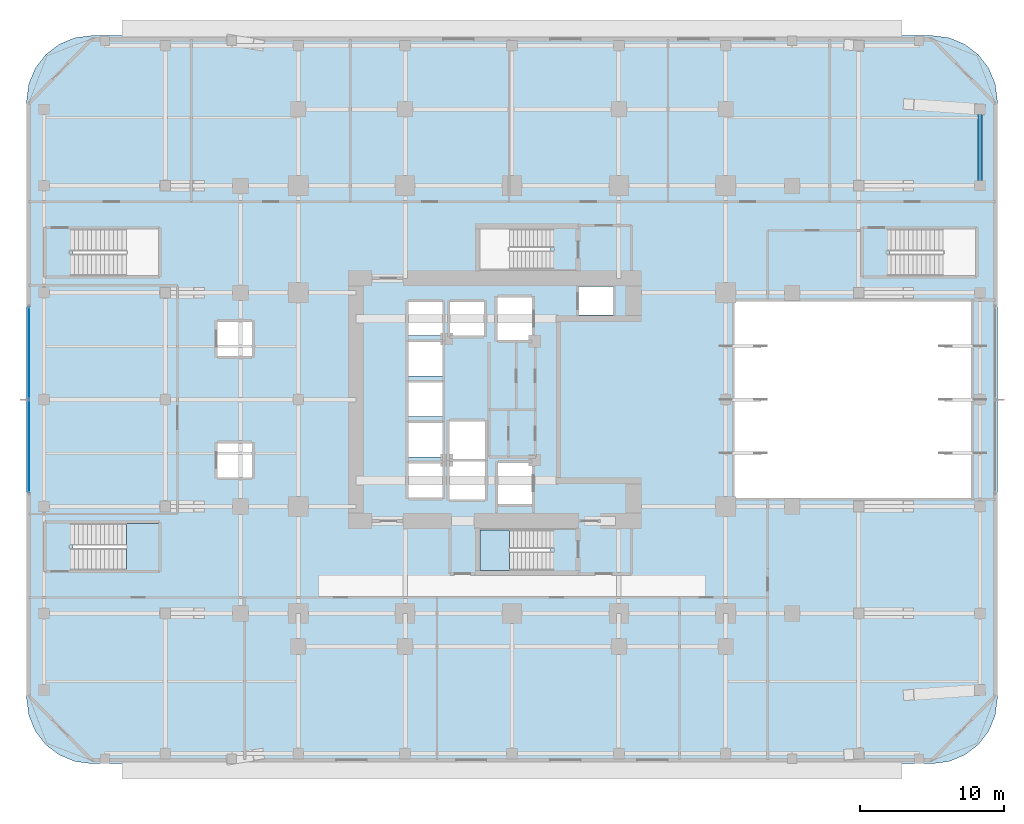
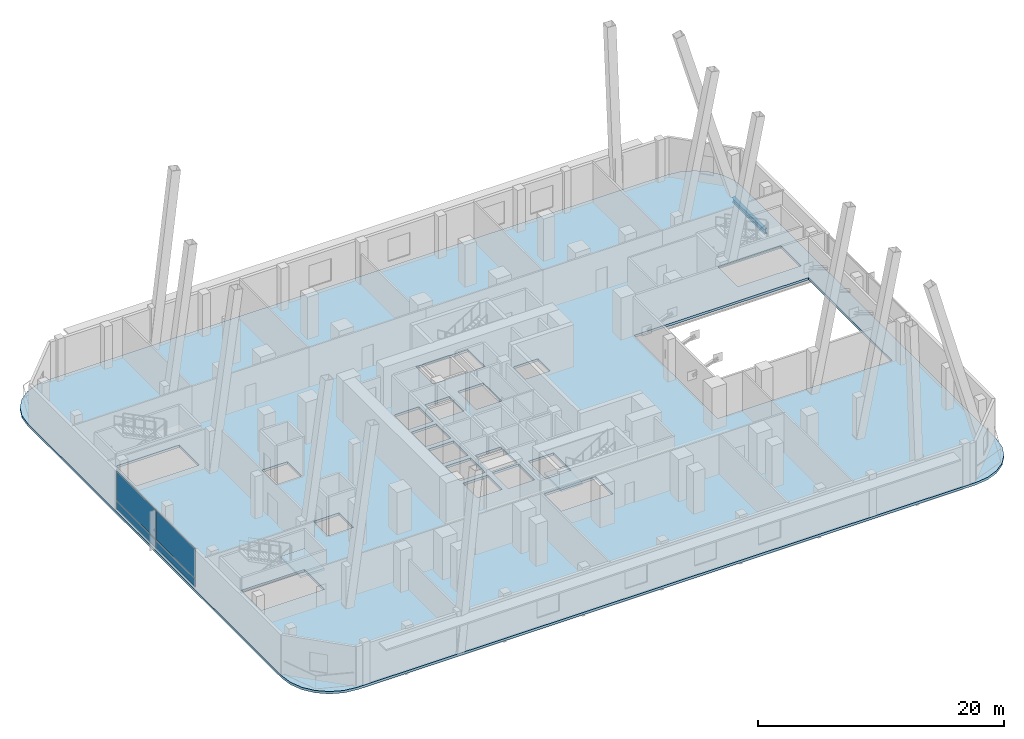
# One storey, part 9 of 23: 4 plates, 3 slabs, 1 beam, 3 elements without a shape of their own.
"""IFC4 building model written with IfcOpenShell, lengths in metres."""

import ifcopenshell
import ifcopenshell.guid

model = None  # the IFC model being written
_history = None  # IfcOwnerHistory: only IFC2X3 demands one
_inside = {}  # id of a spatial element -> (the spatial element, [elements in it])
_under = {}  # id of a project, library or spatial element -> (it, [spatial elements below it])
_declared = {}  # id of a project -> (the project, [libraries it declares])
_typed = {}  # id of a type object -> (the type object, [elements of that type])
_made_of = {}  # id of a material, layer set ... -> (it, [elements and type objects made of it])


def new_model(schema):
    """Start an empty IFC model of exactly this schema.

    Asked for "IFC4X3", IfcOpenShell would pick the latest addendum, in which some entities
    have other attributes; the version numbers below select the first issue.
    IFC2X3 requires an IfcOwnerHistory on every rooted entity: one is made here for all.
    """
    global model, _history
    if schema == "IFC4X3":
        model = ifcopenshell.file(schema_version=(4, 3, 0, 0))
    else:
        model = ifcopenshell.file(schema=schema)
    _inside.clear()
    _under.clear()
    _declared.clear()
    _typed.clear()
    _made_of.clear()
    _history = None
    if model.schema == "IFC2X3":
        org = make("IfcOrganization", Name="unknown")
        user = make(
            "IfcPersonAndOrganization",
            ThePerson=make("IfcPerson", FamilyName="unknown"),
            TheOrganization=org,
        )
        app = make(
            "IfcApplication",
            ApplicationDeveloper=org,
            Version="unknown",
            ApplicationFullName="unknown",
            ApplicationIdentifier="unknown",
        )
        _history = make(
            "IfcOwnerHistory",
            OwningUser=user,
            OwningApplication=app,
            ChangeAction="ADDED",
            CreationDate=0,
        )
    return model


def make(cls, **values):
    """One entity of the class cls with the attributes given. An attribute that is None is left unset."""
    return model.create_entity(
        cls, **{name: value for name, value in values.items() if value is not None}
    )


def rooted(cls, **values):
    """An entity with a GlobalId (a new one), such as an element, a storey or a relation."""
    return make(cls, GlobalId=ifcopenshell.guid.new(), OwnerHistory=_history, **values)


def si_unit(unit_type, name, prefix=None):
    """IfcSIUnit, for example si_unit("LENGTHUNIT", "METRE", prefix="MILLI")."""
    return make("IfcSIUnit", UnitType=unit_type, Prefix=prefix, Name=name)


def assignment(units):
    """IfcUnitAssignment: the units of a project."""
    return None if units is None else make("IfcUnitAssignment", Units=units)


def point(xyz):
    """IfcCartesianPoint."""
    return None if xyz is None else make("IfcCartesianPoint", Coordinates=xyz)


def direction(xyz):
    """IfcDirection."""
    return None if xyz is None else make("IfcDirection", DirectionRatios=xyz)


def frame(location, z_axis=None, x_axis=None):
    """IfcAxis2Placement3D, a coordinate frame: its origin and axes. An axis left out is left unset."""
    return make(
        "IfcAxis2Placement3D",
        Location=point(location),
        Axis=direction(z_axis),
        RefDirection=direction(x_axis),
    )


def frame_2d(location, x_axis=None):
    """IfcAxis2Placement2D, a coordinate frame in the plane: its origin and x axis."""
    return make(
        "IfcAxis2Placement2D", Location=point(location), RefDirection=direction(x_axis)
    )


def origin():
    """The frame at (0, 0, 0) with its axes left unset."""
    return frame((0.0, 0.0, 0.0))


def origin_2d():
    """The frame at (0, 0) in the plane with its x axis left unset."""
    return frame_2d((0.0, 0.0))


def place(relative_to, where):
    """IfcLocalPlacement: puts the frame where relative to a parent placement (None: the world)."""
    return make(
        "IfcLocalPlacement", PlacementRelTo=relative_to, RelativePlacement=where
    )


def context(
    kind, dimensions, precision=None, world=None, true_north=None, identifier=None
):
    """IfcGeometricRepresentationContext, for example the 3D "Model" context."""
    return make(
        "IfcGeometricRepresentationContext",
        ContextIdentifier=identifier,
        ContextType=kind,
        CoordinateSpaceDimension=dimensions,
        Precision=precision,
        WorldCoordinateSystem=world,
        TrueNorth=true_north,
    )


def subcontext(parent, identifier, kind, view, scale=None):
    """IfcGeometricRepresentationSubContext, for example "Body" below "Model"."""
    return make(
        "IfcGeometricRepresentationSubContext",
        ContextIdentifier=identifier,
        ContextType=kind,
        ParentContext=parent,
        TargetScale=scale,
        TargetView=view,
    )


def project(units=None, contexts=None):
    """IfcProject with its units and contexts."""
    return rooted(
        "IfcProject",
        Name="project",
        RepresentationContexts=contexts,
        UnitsInContext=assignment(units),
    )


def spatial(cls, under=None, at=None, **own):
    """A site, building, storey or space (cls), placed at a placement, below another one or the project."""
    s = rooted(cls, ObjectPlacement=at, **own)
    if under is not None:
        _under.setdefault(under.id(), (under, []))[1].append(s)
    return s


def polyline(points):
    """IfcPolyline through the points."""
    return make("IfcPolyline", Points=[point(p) for p in points])


def profile(cls, at=None, kind="AREA", **sizes):
    """A parametric profile (cls). Its sizes go by their IFC names, for example OverallWidth=200.0."""
    return make(cls, ProfileType=kind, Position=at, **sizes)


def rectangle(**sizes):
    """IfcRectangleProfileDef."""
    return profile("IfcRectangleProfileDef", **sizes)


def i_section(**sizes):
    """IfcIShapeProfileDef."""
    return profile("IfcIShapeProfileDef", **sizes)


def outline(outer, holes=None, kind="AREA"):
    """IfcArbitraryClosedProfileDef: a profile drawn as a closed curve; with holes, ...WithVoids."""
    if holes is None:
        return make("IfcArbitraryClosedProfileDef", ProfileType=kind, OuterCurve=outer)
    return make(
        "IfcArbitraryProfileDefWithVoids",
        ProfileType=kind,
        OuterCurve=outer,
        InnerCurves=holes,
    )


def extrude(swept, where, along, depth):
    """IfcExtrudedAreaSolid: the profile swept, set in the frame where, extruded along a direction by depth."""
    return make(
        "IfcExtrudedAreaSolid",
        SweptArea=swept,
        Position=where,
        ExtrudedDirection=direction(along),
        Depth=depth,
    )


def shape(context_of_items, identifier, shape_type, items):
    """IfcShapeRepresentation: the items that make up one representation, for example the "Body"."""
    return make(
        "IfcShapeRepresentation",
        ContextOfItems=context_of_items,
        RepresentationIdentifier=identifier,
        RepresentationType=shape_type,
        Items=items,
    )


def material(Name=None, Category=None):
    """IfcMaterial."""
    return make("IfcMaterial", Name=Name, Category=Category)


def layer(
    of_material, thickness, ventilated=None, Name=None, Category=None, Priority=None
):
    """IfcMaterialLayer: one layer of a wall or slab, of a material (None: an air gap)."""
    return make(
        "IfcMaterialLayer",
        Material=of_material,
        LayerThickness=thickness,
        IsVentilated=ventilated,
        Name=Name,
        Category=Category,
        Priority=Priority,
    )


def layer_set(layers, Name=None):
    """IfcMaterialLayerSet."""
    return make("IfcMaterialLayerSet", MaterialLayers=layers, LayerSetName=Name)


def material_profile(
    of_material, cross_section, Name=None, Category=None, Priority=None
):
    """IfcMaterialProfile: a cross section and its material."""
    return make(
        "IfcMaterialProfile",
        Name=Name,
        Material=of_material,
        Profile=cross_section,
        Priority=Priority,
        Category=Category,
    )


def profile_set(profiles, Name=None, composite=None):
    """IfcMaterialProfileSet."""
    return make(
        "IfcMaterialProfileSet",
        Name=Name,
        MaterialProfiles=profiles,
        CompositeProfile=composite,
    )


def made_of(thing, what):
    """Note that an element or type object is made of a material, layer set ...; save() writes the relation."""
    if what is not None:
        _made_of.setdefault(what.id(), (what, []))[1].append(thing)
    return thing


def type_object(cls, material=None, **own):
    """A type object (cls), such as IfcWallType, which elements share."""
    return made_of(rooted(cls, **own), material)


def element(
    cls,
    number,
    at=None,
    inside=None,
    cuts=None,
    type_object=None,
    material=None,
    context=None,
    identifier="Body",
    shape_type=None,
    held_by="IfcProductDefinitionShape",
    body=None,
    shapes=None,
    **own,
):
    """One element of the class cls, such as IfcWall. Its Tag is "e" and its number.

    at: its placement. inside: the storey or other place that contains it. cuts: it is an
    opening in that element (IfcRelVoidsElement). A single representation is given by context,
    identifier, shape_type and body (its items); several are given by shapes. held_by: the class
    of the entity that holds the representations. save() writes the other relations.
    """
    e = rooted(cls, Tag="e%d" % number, ObjectPlacement=at, **own)
    if body is not None:
        shapes = [shape(context, identifier, shape_type, body)]
    if shapes is not None:
        e.Representation = make(held_by, Representations=shapes)
    if inside is not None:
        _inside.setdefault(inside.id(), (inside, []))[1].append(e)
    if cuts is not None:
        rooted(
            "IfcRelVoidsElement", RelatingBuildingElement=cuts, RelatedOpeningElement=e
        )
    if type_object is not None:
        _typed.setdefault(type_object.id(), (type_object, []))[1].append(e)
    return made_of(e, material)


def aggregate(whole, parts):
    """IfcRelAggregates: a whole, such as a stair, and the parts it consists of."""
    return rooted("IfcRelAggregates", RelatingObject=whole, RelatedObjects=parts)


def save(model, path):
    """Write the relations noted so far, then the file.

    IfcRelAggregates (storeys below a building ...), IfcRelContainedInSpatialStructure (elements
    in a storey), IfcRelDefinesByType, IfcRelAssociatesMaterial and IfcRelDeclares: one each for
    every whole, place, type object, material and project.
    """
    for whole, parts in _under.values():
        aggregate(whole, parts)
    for where, things in _inside.values():
        rooted(
            "IfcRelContainedInSpatialStructure",
            RelatedElements=things,
            RelatingStructure=where,
        )
    for kind, things in _typed.values():
        rooted("IfcRelDefinesByType", RelatedObjects=things, RelatingType=kind)
    for what, things in _made_of.values():
        rooted("IfcRelAssociatesMaterial", RelatedObjects=things, RelatingMaterial=what)
    for by, libraries in _declared.values():
        rooted("IfcRelDeclares", RelatingContext=by, RelatedDefinitions=libraries)
    model.write(path)


model = new_model("IFC4")

# Units and contexts
model_context = context("Model", 3, precision=1e-05, world=origin(), true_north=direction((0.0, 1.0)))
body_context = subcontext(model_context, "Body", "Model", "MODEL_VIEW")
ifc_project = project(units=[si_unit("LENGTHUNIT", "METRE"), si_unit("AREAUNIT", "SQUARE_METRE"), si_unit("VOLUMEUNIT", "CUBIC_METRE"), si_unit("PLANEANGLEUNIT", "RADIAN"), si_unit("MASSUNIT", "GRAM", prefix="KILO")], contexts=[model_context])

# Site, building, storey
site_placement = place(None, origin())
site = spatial("IfcSite", under=ifc_project, at=site_placement, CompositionType="ELEMENT")
building_placement = place(site_placement, origin())
building = spatial("IfcBuilding", under=site, at=building_placement, Name="Khorvyn Point Tower", CompositionType="ELEMENT")
storey_placement = place(building_placement, frame((0.0, 0.0, 9.0)))
storey = spatial("IfcBuildingStorey", under=building, at=storey_placement, Name="L03", CompositionType="ELEMENT", Elevation=9.0)

# Beam
ifc_material_1 = material(Name="Steel S355", Category="steel")
ifc_material_profile = material_profile(ifc_material_1, i_section(OverallWidth=0.300048828125, OverallDepth=0.488037109375, WebThickness=0.010986328125, FlangeThickness=0.01806640625, at=origin_2d()))
ifc_profile_set = profile_set([ifc_material_profile], Name="Steel S355 H488x300x11x18")
beam_type = type_object("IfcBeamType", Name="Steel S355 Spandrel H488x300x11x18", PredefinedType="SPANDREL", material=ifc_profile_set)
beam_placement = place(storey_placement, frame((32.39990234375, 14.800048828125, -0.48388671875), z_axis=(0.0, 1.0, 0.0), x_axis=(-1.0, 0.0, 0.0)))
element("IfcBeam", 1, at=beam_placement, inside=storey, type_object=beam_type, Name="Beam", PredefinedType="SPANDREL", context=body_context, shape_type="SweptSolid", body=[
    extrude(i_section(OverallWidth=0.300048828125, OverallDepth=0.488037109375, WebThickness=0.010986328125, FlangeThickness=0.01806640625, at=origin_2d()), origin(), (0.0, 0.0, 1.0), 5.300048828125),
])

# Slab
ifc_material_2 = material(Name="Concrete C35/45", Category="concrete")
ifc_layer_1 = layer(ifc_material_2, 0.239990234375)
ifc_layer_set_1 = layer_set([ifc_layer_1], Name="Concrete C35/45 Structural Floor Slab 240")
slab_type_1 = type_object("IfcSlabType", Name="Concrete C35/45 Structural Floor Slab 240", PredefinedType="FLOOR", material=ifc_layer_set_1)
slab_1_placement = place(storey_placement, frame((0.0, 0.0, -0.239990234375)))
element("IfcSlab", 2, at=slab_1_placement, inside=storey, type_object=slab_type_1, Name="L03 Main Structural Floor Slab", PredefinedType="FLOOR", context=body_context, shape_type="SweptSolid", body=[
    extrude(outline(polyline([(-29.10009765625, -25.199951171875), (-30.2646484375, -25.046630859375), (-31.35009765625, -24.59716796875), (-32.281982421875, -23.882080078125), (-32.9970703125, -22.949951171875), (-33.44677734375, -21.86474609375), (-33.60009765625, -20.699951171875), (-33.60009765625, 20.699951171875), (-33.44677734375, 21.86474609375), (-32.9970703125, 22.949951171875), (-32.281982421875, 23.882080078125), (-31.35009765625, 24.59716796875), (-30.2646484375, 25.046630859375), (-29.10009765625, 25.199951171875), (29.10009765625, 25.199951171875), (30.2646484375, 25.046630859375), (31.35009765625, 24.59716796875), (32.281982421875, 23.882080078125), (32.9970703125, 22.949951171875), (33.44677734375, 21.86474609375), (33.60009765625, 20.699951171875), (33.60009765625, -20.699951171875), (33.44677734375, -21.86474609375), (32.9970703125, -22.949951171875), (32.281982421875, -23.882080078125), (31.35009765625, -24.59716796875), (30.2646484375, -25.046630859375), (29.10009765625, -25.199951171875), (-29.10009765625, -25.199951171875)]), holes=[polyline([(-30.3798828125, -11.820068359375), (-24.449951171875, -11.820068359375), (-24.449951171875, -8.56005859375), (-30.3798828125, -8.56005859375), (-30.3798828125, -11.820068359375)]), polyline([(-7.175048828125, -6.77490234375), (-4.824951171875, -6.77490234375), (-4.824951171875, -4.425048828125), (-7.175048828125, -4.425048828125), (-7.175048828125, -6.77490234375)]), polyline([(-20.39990234375, -5.375), (-18.0, -5.375), (-18.0, -3.02490234375), (-20.39990234375, -3.02490234375), (-20.39990234375, -5.375)]), polyline([(-7.175048828125, -3.97509765625), (-4.824951171875, -3.97509765625), (-4.824951171875, -1.625), (-7.175048828125, -1.625), (-7.175048828125, -3.97509765625)]), polyline([(-7.175048828125, -1.175048828125), (-4.824951171875, -1.175048828125), (-4.824951171875, 1.175048828125), (-7.175048828125, 1.175048828125), (-7.175048828125, -1.175048828125)]), polyline([(-7.175048828125, 1.625), (-4.824951171875, 1.625), (-4.824951171875, 3.97509765625), (-7.175048828125, 3.97509765625), (-7.175048828125, 1.625)]), polyline([(-20.39990234375, 3.02490234375), (-18.0, 3.02490234375), (-18.0, 5.375), (-20.39990234375, 5.375), (-20.39990234375, 3.02490234375)]), polyline([(-7.175048828125, 6.77490234375), (-7.175048828125, 4.425048828125), (-4.824951171875, 4.425048828125), (-4.824951171875, 6.77490234375), (-7.175048828125, 6.77490234375)]), polyline([(-4.27490234375, 6.77490234375), (-4.27490234375, 4.425048828125), (-1.925048828125, 4.425048828125), (-1.925048828125, 6.77490234375), (-4.27490234375, 6.77490234375)]), polyline([(-30.3798828125, 8.56005859375), (-24.449951171875, 8.56005859375), (-24.449951171875, 11.820068359375), (-30.3798828125, 11.820068359375), (-30.3798828125, 8.56005859375)]), polyline([(-2.199951171875, -11.820068359375), (2.679931640625, -11.820068359375), (2.679931640625, -9.02001953125), (-2.199951171875, -9.02001953125), (-2.199951171875, -11.820068359375)]), polyline([(-0.97509765625, -7.22509765625), (1.375, -7.22509765625), (1.375, -4.375), (-0.97509765625, -4.375), (-0.97509765625, -7.22509765625)]), polyline([(-4.324951171875, -4.300048828125), (-4.324951171875, -6.89990234375), (-1.875, -6.89990234375), (-1.875, -4.300048828125), (-4.324951171875, -4.300048828125)]), polyline([(-4.324951171875, -1.5), (-4.324951171875, -4.10009765625), (-1.875, -4.10009765625), (-1.875, -1.5), (-4.324951171875, -1.5)]), polyline([(15.39990234375, -6.800048828125), (31.800048828125, -6.800048828125), (31.800048828125, 6.800048828125), (15.39990234375, 6.800048828125), (15.39990234375, -6.800048828125)]), polyline([(-1.0, 4.125), (1.39990234375, 4.125), (1.39990234375, 7.074951171875), (-1.0, 7.074951171875), (-1.0, 4.125)]), polyline([(4.625, 5.85009765625), (6.97509765625, 5.85009765625), (6.97509765625, 7.830078125), (4.625, 7.830078125), (4.625, 5.85009765625)]), polyline([(26.169921875, 11.820068359375), (26.169921875, 8.56005859375), (32.10009765625, 8.56005859375), (32.10009765625, 11.820068359375), (26.169921875, 11.820068359375)]), polyline([(-2.199951171875, 11.820068359375), (-2.199951171875, 9.02001953125), (2.679931640625, 9.02001953125), (2.679931640625, 11.820068359375), (-2.199951171875, 11.820068359375)])]), origin(), (0.0, 0.0, 1.0), 0.239990234375),
])

# Stair, slab
ifc_material_3 = material(Name="Concrete C40/50", Category="concrete")
stair_type_1 = type_object("IfcStairType", Name="Tower Concrete C40/50 Dogleg Exit Stair", PredefinedType="HALF_TURN_STAIR", material=ifc_material_3)
stair_1_placement = place(storey_placement, origin())
stair_1 = element("IfcStair", 3, at=stair_1_placement, inside=storey, type_object=stair_type_1, Name="L03 Tower Smokeproof Exit Stair South", PredefinedType="HALF_TURN_STAIR")
ifc_layer_2 = layer(ifc_material_3, 0.199951171875)
ifc_layer_set_2 = layer_set([ifc_layer_2], Name="Concrete C40/50 Stair Landing Slab 200")
slab_type_2 = type_object("IfcSlabType", Name="Concrete C40/50 Stair Landing Slab 200", PredefinedType="LANDING", material=ifc_layer_set_2)
slab_2_placement = place(storey_placement, frame((0.0, 0.0, 1.89990234375)))
slab_2 = element("IfcSlab", 4, at=slab_2_placement, type_object=slab_type_2, Name="ST-01 landing 1", PredefinedType="LANDING", context=body_context, shape_type="SweptSolid", body=[
    extrude(outline(polyline([(-0.179931640625, -9.02001953125), (-2.199951171875, -9.02001953125), (-2.199951171875, -11.820068359375), (-0.179931640625, -11.820068359375), (-0.179931640625, -9.02001953125)])), origin(), (0.0, 0.0, 1.0), 0.2001953125),
])
aggregate(stair_1, [slab_2])

stair_type_2 = type_object("IfcStairType", Name="School Podium Concrete C40/50 Wide Exit Stair", PredefinedType="HALF_TURN_STAIR", material=ifc_material_3)
stair_2_placement = place(storey_placement, origin())
stair_2 = element("IfcStair", 5, at=stair_2_placement, inside=storey, type_object=stair_type_2, Name="L03 School Podium Smokeproof Stair Southwest", PredefinedType="HALF_TURN_STAIR")
slab_3_placement = place(storey_placement, frame((0.0, 0.0, 1.89990234375)))
slab_3 = element("IfcSlab", 6, at=slab_3_placement, type_object=slab_type_2, Name="ST-S1 landing 1", PredefinedType="LANDING", context=body_context, shape_type="SweptSolid", body=[
    extrude(outline(polyline([(-26.699951171875, -11.820068359375), (-24.449951171875, -11.820068359375), (-24.449951171875, -8.56005859375), (-26.699951171875, -8.56005859375), (-26.699951171875, -11.820068359375)])), origin(), (0.0, 0.0, 1.0), 0.2001953125),
])
aggregate(stair_2, [slab_3])

# Curtain wall, plates
ifc_material_4 = material(Name="Anodised aluminium 6063-T6 and laminated Low-E glass", Category="aluminium")
ifc_layer_3 = layer(ifc_material_4, 0.18994140625)
ifc_layer_set_3 = layer_set([ifc_layer_3], Name="Stick-Built Low-E Podium Curtain Wall CW-SYS-01")
curtain_wall_type = type_object("IfcCurtainWallType", Name="Stick-Built Low-E Podium Curtain Wall CW-SYS-01", PredefinedType="NOTDEFINED", material=ifc_layer_set_3)
curtain_wall_placement = place(storey_placement, origin())
curtain_wall = element("IfcCurtainWall", 7, at=curtain_wall_placement, inside=storey, type_object=curtain_wall_type, Name="Curtain Wall", PredefinedType="NOTDEFINED")
ifc_material_5 = material(Name="Pale anodised aluminium 5005", Category="aluminium")
ifc_layer_4 = layer(ifc_material_5, 0.0400390625)
ifc_layer_set_4 = layer_set([ifc_layer_4], Name="Pale Champagne Aluminium Insulated Spandrel Panel CW-SP40")
plate_type_1 = type_object("IfcPlateType", Name="Pale Champagne Aluminium Insulated Spandrel Panel CW-SP40", PredefinedType="SHEET", material=ifc_layer_set_4)
plate_1_placement = place(storey_placement, frame((-33.449951171875, -3.22509765625, 0.10009765625), z_axis=(0.0, 0.0, 1.0), x_axis=(0.0, 1.0, 0.0)))
plate_1 = element("IfcPlate", 8, at=plate_1_placement, type_object=plate_type_1, Name="Panel", PredefinedType="SHEET", context=body_context, shape_type="SweptSolid", body=[
    extrude(rectangle(XDim=6.35009765625, YDim=0.0400390625, at=origin_2d()), origin(), (0.0, 0.0, 1.0), 0.75),
])
plate_2_placement = place(storey_placement, frame((-33.449951171875, 3.22509765625, 0.10009765625), z_axis=(0.0, 0.0, 1.0), x_axis=(0.0, 1.0, 0.0)))
plate_2 = element("IfcPlate", 9, at=plate_2_placement, type_object=plate_type_1, Name="Panel", PredefinedType="SHEET", context=body_context, shape_type="SweptSolid", body=[
    extrude(rectangle(XDim=6.35009765625, YDim=0.0400390625, at=origin_2d()), origin(), (0.0, 0.0, 1.0), 0.75),
])
ifc_material_6 = material(Name="Laminated Low-E insulated glass", Category="glass")
ifc_layer_5 = layer(ifc_material_6, 0.028076171875)
ifc_layer_set_5 = layer_set([ifc_layer_5], Name="Tempered Low-E Vision Glazing Panel CW-GL28")
plate_type_2 = type_object("IfcPlateType", Name="Tempered Low-E Vision Glazing Panel CW-GL28", PredefinedType="CURTAIN_PANEL", material=ifc_layer_set_5)
plate_3_placement = place(storey_placement, frame((-33.449951171875, -3.22509765625, 0.9501953125), z_axis=(0.0, 0.0, 1.0), x_axis=(0.0, 1.0, 0.0)))
plate_3 = element("IfcPlate", 10, at=plate_3_placement, type_object=plate_type_2, Name="Panel", PredefinedType="CURTAIN_PANEL", context=body_context, shape_type="SweptSolid", body=[
    extrude(rectangle(XDim=6.35009765625, YDim=0.028076171875, at=origin_2d()), origin(), (0.0, 0.0, 1.0), 2.909912109375),
])
plate_4_placement = place(storey_placement, frame((-33.449951171875, 3.22509765625, 0.9501953125), z_axis=(0.0, 0.0, 1.0), x_axis=(0.0, 1.0, 0.0)))
plate_4 = element("IfcPlate", 11, at=plate_4_placement, type_object=plate_type_2, Name="Panel", PredefinedType="CURTAIN_PANEL", context=body_context, shape_type="SweptSolid", body=[
    extrude(rectangle(XDim=6.35009765625, YDim=0.028076171875, at=origin_2d()), origin(), (0.0, 0.0, 1.0), 2.909912109375),
])
aggregate(curtain_wall, [plate_1, plate_3, plate_2, plate_4])

save(model, "model.ifc")
